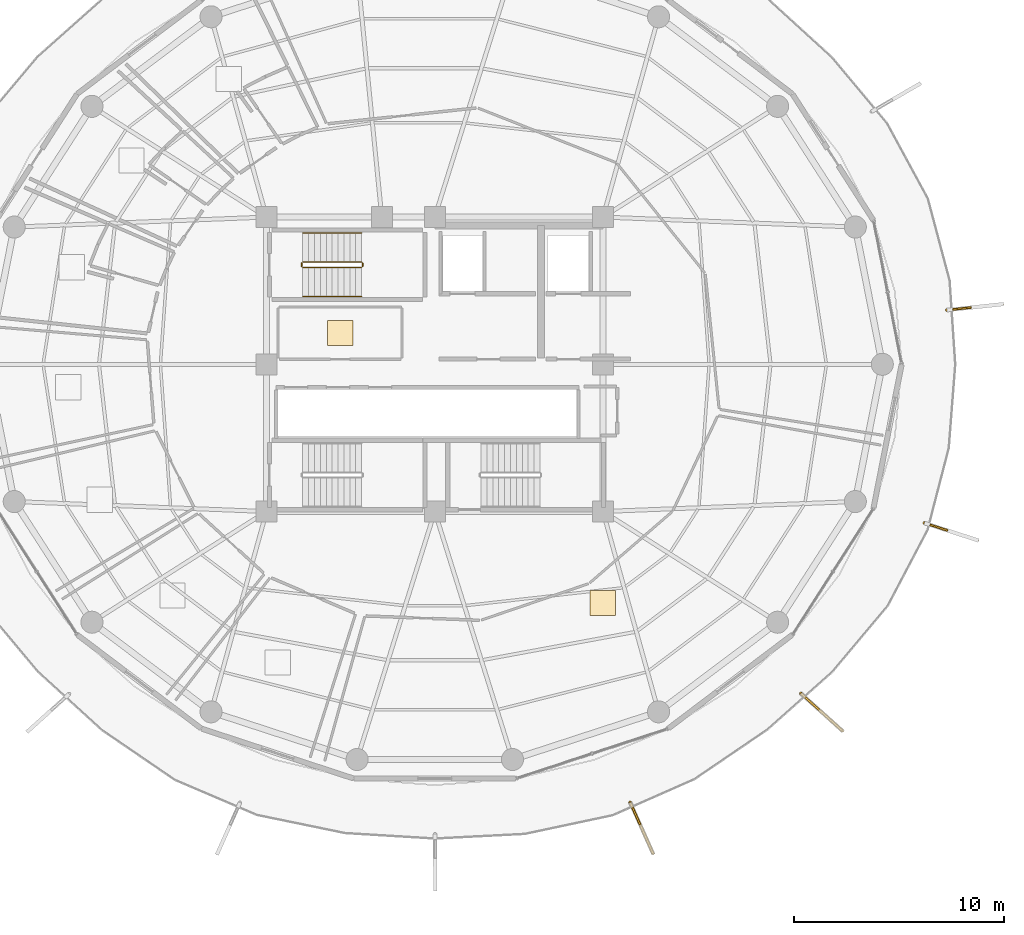
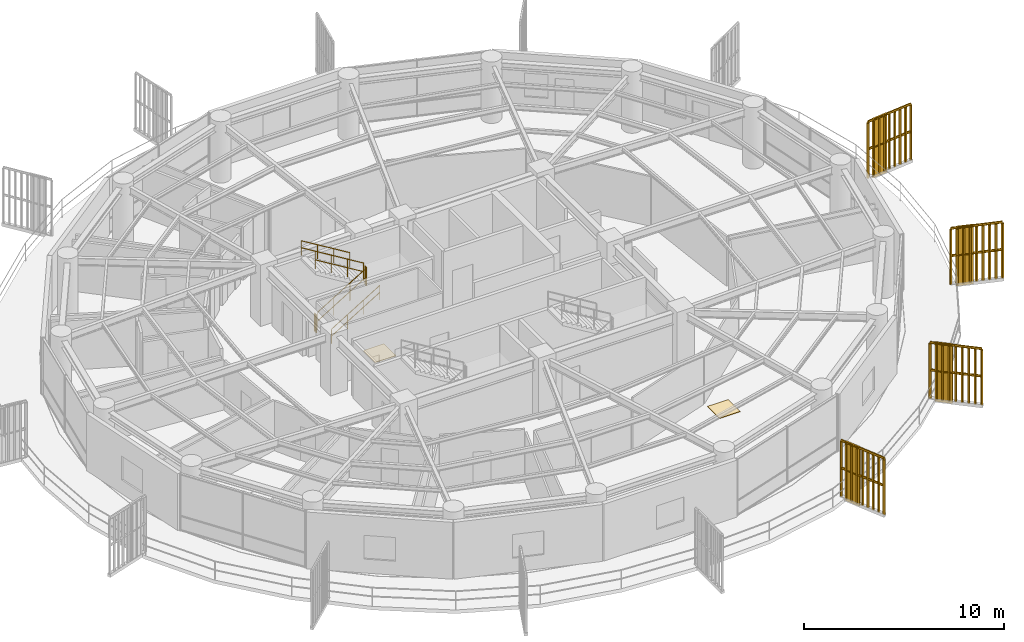
# One storey, part 30 of 31: 10 railings, 4 shading devices, 2 coverings.
"""IFC4 building model written with IfcOpenShell, lengths in metres."""

from ifc_helpers import new_model, si_unit, direction, frame, origin, origin_2d, place, context, subcontext, project, spatial, polyline, rectangle, outline, extrude, source, transform, mapped, material, layer, layer_set, type_object, element, save


model = new_model("IFC4")

# Units and contexts
model_context = context("Model", 3, precision=1e-05, world=origin(), true_north=direction((0.0, 1.0)))
body_context = subcontext(model_context, "Body", "Model", "MODEL_VIEW")
ifc_project = project(units=[si_unit("LENGTHUNIT", "METRE"), si_unit("AREAUNIT", "SQUARE_METRE"), si_unit("VOLUMEUNIT", "CUBIC_METRE"), si_unit("PLANEANGLEUNIT", "RADIAN"), si_unit("MASSUNIT", "GRAM", prefix="KILO")], contexts=[model_context])

# Site, building, storey
site_placement = place(None, origin())
site = spatial("IfcSite", under=ifc_project, at=site_placement, CompositionType="ELEMENT")
building_placement = place(site_placement, origin())
building = spatial("IfcBuilding", under=site, at=building_placement, Name="Kelanora Arch Commons", CompositionType="ELEMENT")
storey_placement = place(building_placement, frame((0.0, 0.0, 223.199951171875)))
storey = spatial("IfcBuildingStorey", under=building, at=storey_placement, Name="L57", CompositionType="ELEMENT", Elevation=223.199951171875)

# Railings
ifc_material_1 = material(Name="Anodised bronze vertical shading fin rib assembly")
railing_type_1 = type_object("IfcRailingType", Name="RAIL-FIN-BRZ", PredefinedType="BALUSTRADE", material=ifc_material_1)
railing_1_placement = place(storey_placement, frame((91.40771484375, 42.34912109375, -0.02001953125)))
element("IfcRailing", 1, at=railing_1_placement, inside=storey, type_object=railing_type_1, Name="Sweeping Bronze Vertical Fin Blade L57-00", PredefinedType="BALUSTRADE", context=body_context, shape_type="SweptSolid", body=[
    extrude(outline(polyline([(0.06982421875, 0.0), (0.034912109375, 0.060546875), (-0.034912109375, 0.060546875), (-0.06982421875, 0.0), (-0.034912109375, -0.060546875), (0.034912109375, -0.060546875), (0.06982421875, 0.0)])), frame((0.0, 0.0, 3.419921875), z_axis=(0.743642104548, -0.668577908956, 0.0), x_axis=(0.668577908956, 0.743642104548, 0.0)), (0.0, 0.0, 1.0), 2.650634765625),
    extrude(outline(polyline([(0.06982421875, 0.0), (0.034912109375, 0.060546875), (-0.034912109375, 0.060546875), (-0.06982421875, 0.0), (-0.034912109375, -0.060546875), (0.034912109375, -0.060546875), (0.06982421875, 0.0)])), frame((0.0, 0.0, 1.7451171875), z_axis=(0.743642104548, -0.668577908956, 0.0), x_axis=(0.668577908956, 0.743642104548, 0.0)), (0.0, 0.0, 1.0), 2.650634765625),
    extrude(outline(polyline([(0.080078125, 0.0), (0.0400390625, 0.0693359375), (-0.0400390625, 0.0693359375), (-0.080078125, 0.0), (-0.0400390625, -0.0693359375), (0.0400390625, -0.0693359375), (0.080078125, 0.0)])), origin(), (0.0, 0.0, 1.0), 3.35009765625),
    extrude(outline(polyline([(0.080078125, 0.0), (0.0400390625, 0.0693359375), (-0.0400390625, 0.0693359375), (-0.080078125, 0.0), (-0.0400390625, -0.0693359375), (0.0400390625, -0.0693359375), (0.080078125, 0.0)])), frame((0.246337890625, -0.221435546875, 0.0)), (0.0, 0.0, 1.0), 3.35009765625),
    extrude(outline(polyline([(0.080078125, 0.0), (0.0400390625, 0.0693359375), (-0.0400390625, 0.0693359375), (-0.080078125, 0.0), (-0.0400390625, -0.0693359375), (0.0400390625, -0.0693359375), (0.080078125, 0.0)])), frame((0.49267578125, -0.443115234375, 0.0)), (0.0, 0.0, 1.0), 3.35009765625),
    extrude(outline(polyline([(0.080078125, 0.0), (0.0400390625, 0.0693359375), (-0.0400390625, 0.0693359375), (-0.080078125, 0.0), (-0.0400390625, -0.0693359375), (0.0400390625, -0.0693359375), (0.080078125, 0.0)])), frame((0.7392578125, -0.66455078125, 0.0)), (0.0, 0.0, 1.0), 3.35009765625),
    extrude(outline(polyline([(0.080078125, 0.0), (0.0400390625, 0.0693359375), (-0.0400390625, 0.0693359375), (-0.080078125, 0.0), (-0.0400390625, -0.0693359375), (0.0400390625, -0.0693359375), (0.080078125, 0.0)])), frame((0.985595703125, -0.88623046875, 0.0)), (0.0, 0.0, 1.0), 3.35009765625),
    extrude(outline(polyline([(0.080078125, 0.0), (0.0400390625, 0.0693359375), (-0.0400390625, 0.0693359375), (-0.080078125, 0.0), (-0.0400390625, -0.0693359375), (0.0400390625, -0.0693359375), (0.080078125, 0.0)])), frame((1.23193359375, -1.107666015625, 0.0)), (0.0, 0.0, 1.0), 3.35009765625),
    extrude(outline(polyline([(0.080078125, 0.0), (0.0400390625, 0.0693359375), (-0.0400390625, 0.0693359375), (-0.080078125, 0.0), (-0.0400390625, -0.0693359375), (0.0400390625, -0.0693359375), (0.080078125, 0.0)])), frame((1.478515625, -1.3291015625, 0.0)), (0.0, 0.0, 1.0), 3.35009765625),
    extrude(outline(polyline([(0.080078125, 0.0), (0.0400390625, 0.0693359375), (-0.0400390625, 0.0693359375), (-0.080078125, 0.0), (-0.0400390625, -0.0693359375), (0.0400390625, -0.0693359375), (0.080078125, 0.0)])), frame((1.724853515625, -1.55078125, 0.0)), (0.0, 0.0, 1.0), 3.35009765625),
    extrude(outline(polyline([(0.080078125, 0.0), (0.0400390625, 0.0693359375), (-0.0400390625, 0.0693359375), (-0.080078125, 0.0), (-0.0400390625, -0.0693359375), (0.0400390625, -0.0693359375), (0.080078125, 0.0)])), frame((1.97119140625, -1.772216796875, 0.0)), (0.0, 0.0, 1.0), 3.35009765625),
])
railing_2_placement = place(storey_placement, frame((97.2841796875, 50.453369140625, -0.02001953125)))
element("IfcRailing", 2, at=railing_2_placement, inside=storey, type_object=railing_type_1, Name="Sweeping Bronze Vertical Fin Blade L57-01", PredefinedType="BALUSTRADE", context=body_context, shape_type="SweptSolid", body=[
    extrude(outline(polyline([(0.06982421875, 0.0), (0.034912109375, 0.060546875), (-0.034912109375, 0.060546875), (-0.06982421875, 0.0), (-0.034912109375, -0.060546875), (0.034912109375, -0.060546875), (0.06982421875, 0.0)])), frame((0.0, 0.0, 3.419921875), z_axis=(0.951275397504, -0.308342533725, 0.0), x_axis=(0.308342533725, 0.951275397504, 0.0)), (0.0, 0.0, 1.0), 2.65087890625),
    extrude(outline(polyline([(0.06982421875, 0.0), (0.034912109375, 0.060546875), (-0.034912109375, 0.060546875), (-0.06982421875, 0.0), (-0.034912109375, -0.060546875), (0.034912109375, -0.060546875), (0.06982421875, 0.0)])), frame((0.0, 0.0, 1.7451171875), z_axis=(0.951275397504, -0.308342533725, 0.0), x_axis=(0.308342533725, 0.951275397504, 0.0)), (0.0, 0.0, 1.0), 2.65087890625),
    extrude(outline(polyline([(0.080078125, 0.0), (0.0400390625, 0.0693359375), (-0.0400390625, 0.0693359375), (-0.080078125, 0.0), (-0.0400390625, -0.0693359375), (0.0400390625, -0.0693359375), (0.080078125, 0.0)])), origin(), (0.0, 0.0, 1.0), 3.35009765625),
    extrude(outline(polyline([(0.080078125, 0.0), (0.0400390625, 0.0693359375), (-0.0400390625, 0.0693359375), (-0.080078125, 0.0), (-0.0400390625, -0.0693359375), (0.0400390625, -0.0693359375), (0.080078125, 0.0)])), frame((0.315185546875, -0.10205078125, 0.0)), (0.0, 0.0, 1.0), 3.35009765625),
    extrude(outline(polyline([(0.080078125, 0.0), (0.0400390625, 0.0693359375), (-0.0400390625, 0.0693359375), (-0.080078125, 0.0), (-0.0400390625, -0.0693359375), (0.0400390625, -0.0693359375), (0.080078125, 0.0)])), frame((0.63037109375, -0.204345703125, 0.0)), (0.0, 0.0, 1.0), 3.35009765625),
    extrude(outline(polyline([(0.080078125, 0.0), (0.0400390625, 0.0693359375), (-0.0400390625, 0.0693359375), (-0.080078125, 0.0), (-0.0400390625, -0.0693359375), (0.0400390625, -0.0693359375), (0.080078125, 0.0)])), frame((0.945556640625, -0.306640625, 0.0)), (0.0, 0.0, 1.0), 3.35009765625),
    extrude(outline(polyline([(0.080078125, 0.0), (0.0400390625, 0.0693359375), (-0.0400390625, 0.0693359375), (-0.080078125, 0.0), (-0.0400390625, -0.0693359375), (0.0400390625, -0.0693359375), (0.080078125, 0.0)])), frame((1.2607421875, -0.40869140625, 0.0)), (0.0, 0.0, 1.0), 3.35009765625),
    extrude(outline(polyline([(0.080078125, 0.0), (0.0400390625, 0.0693359375), (-0.0400390625, 0.0693359375), (-0.080078125, 0.0), (-0.0400390625, -0.0693359375), (0.0400390625, -0.0693359375), (0.080078125, 0.0)])), frame((1.576171875, -0.5107421875, 0.0)), (0.0, 0.0, 1.0), 3.35009765625),
    extrude(outline(polyline([(0.080078125, 0.0), (0.0400390625, 0.0693359375), (-0.0400390625, 0.0693359375), (-0.080078125, 0.0), (-0.0400390625, -0.0693359375), (0.0400390625, -0.0693359375), (0.080078125, 0.0)])), frame((1.891357421875, -0.613037109375, 0.0)), (0.0, 0.0, 1.0), 3.35009765625),
    extrude(outline(polyline([(0.080078125, 0.0), (0.0400390625, 0.0693359375), (-0.0400390625, 0.0693359375), (-0.080078125, 0.0), (-0.0400390625, -0.0693359375), (0.0400390625, -0.0693359375), (0.080078125, 0.0)])), frame((2.20654296875, -0.71533203125, 0.0)), (0.0, 0.0, 1.0), 3.35009765625),
    extrude(outline(polyline([(0.080078125, 0.0), (0.0400390625, 0.0693359375), (-0.0400390625, 0.0693359375), (-0.080078125, 0.0), (-0.0400390625, -0.0693359375), (0.0400390625, -0.0693359375), (0.080078125, 0.0)])), frame((2.521728515625, -0.8173828125, 0.0)), (0.0, 0.0, 1.0), 3.35009765625),
])
railing_3_placement = place(storey_placement, frame((98.349609375, 60.577392578125, -0.02001953125)))
element("IfcRailing", 3, at=railing_3_placement, inside=storey, type_object=railing_type_1, Name="Sweeping Bronze Vertical Fin Blade L57-02", PredefinedType="BALUSTRADE", context=body_context, shape_type="SweptSolid", body=[
    extrude(outline(polyline([(0.06982421875, 0.0), (0.034912109375, 0.060546875), (-0.034912109375, 0.060546875), (-0.06982421875, 0.0), (-0.034912109375, -0.060546875), (0.034912109375, -0.060546875), (0.06982421875, 0.0)])), frame((0.0, 0.0, 3.419921875), z_axis=(0.994453859806, 0.105173764391, 0.0), x_axis=(-0.105173764391, 0.994453859806, 0.0)), (0.0, 0.0, 1.0), 2.65087890625),
    extrude(outline(polyline([(0.06982421875, 0.0), (0.034912109375, 0.060546875), (-0.034912109375, 0.060546875), (-0.06982421875, 0.0), (-0.034912109375, -0.060546875), (0.034912109375, -0.060546875), (0.06982421875, 0.0)])), frame((0.0, 0.0, 1.7451171875), z_axis=(0.994453859806, 0.105173764391, 0.0), x_axis=(-0.105173764391, 0.994453859806, 0.0)), (0.0, 0.0, 1.0), 2.65087890625),
    extrude(outline(polyline([(0.080078125, 0.0), (0.0400390625, 0.0693359375), (-0.0400390625, 0.0693359375), (-0.080078125, 0.0), (-0.0400390625, -0.0693359375), (0.0400390625, -0.0693359375), (0.080078125, 0.0)])), origin(), (0.0, 0.0, 1.0), 3.35009765625),
    extrude(outline(polyline([(0.080078125, 0.0), (0.0400390625, 0.0693359375), (-0.0400390625, 0.0693359375), (-0.080078125, 0.0), (-0.0400390625, -0.0693359375), (0.0400390625, -0.0693359375), (0.080078125, 0.0)])), frame((0.32958984375, 0.034912109375, 0.0)), (0.0, 0.0, 1.0), 3.35009765625),
    extrude(outline(polyline([(0.080078125, 0.0), (0.0400390625, 0.0693359375), (-0.0400390625, 0.0693359375), (-0.080078125, 0.0), (-0.0400390625, -0.0693359375), (0.0400390625, -0.0693359375), (0.080078125, 0.0)])), frame((0.6591796875, 0.06982421875, 0.0)), (0.0, 0.0, 1.0), 3.35009765625),
    extrude(outline(polyline([(0.080078125, 0.0), (0.0400390625, 0.0693359375), (-0.0400390625, 0.0693359375), (-0.080078125, 0.0), (-0.0400390625, -0.0693359375), (0.0400390625, -0.0693359375), (0.080078125, 0.0)])), frame((0.988525390625, 0.1044921875, 0.0)), (0.0, 0.0, 1.0), 3.35009765625),
    extrude(outline(polyline([(0.080078125, 0.0), (0.0400390625, 0.0693359375), (-0.0400390625, 0.0693359375), (-0.080078125, 0.0), (-0.0400390625, -0.0693359375), (0.0400390625, -0.0693359375), (0.080078125, 0.0)])), frame((1.318115234375, 0.139404296875, 0.0)), (0.0, 0.0, 1.0), 3.35009765625),
    extrude(outline(polyline([(0.080078125, 0.0), (0.0400390625, 0.0693359375), (-0.0400390625, 0.0693359375), (-0.080078125, 0.0), (-0.0400390625, -0.0693359375), (0.0400390625, -0.0693359375), (0.080078125, 0.0)])), frame((1.647705078125, 0.17431640625, 0.0)), (0.0, 0.0, 1.0), 3.35009765625),
    extrude(outline(polyline([(0.080078125, 0.0), (0.0400390625, 0.0693359375), (-0.0400390625, 0.0693359375), (-0.080078125, 0.0), (-0.0400390625, -0.0693359375), (0.0400390625, -0.0693359375), (0.080078125, 0.0)])), frame((1.97705078125, 0.208984375, 0.0)), (0.0, 0.0, 1.0), 3.35009765625),
    extrude(outline(polyline([(0.080078125, 0.0), (0.0400390625, 0.0693359375), (-0.0400390625, 0.0693359375), (-0.080078125, 0.0), (-0.0400390625, -0.0693359375), (0.0400390625, -0.0693359375), (0.080078125, 0.0)])), frame((2.306640625, 0.243896484375, 0.0)), (0.0, 0.0, 1.0), 3.35009765625),
    extrude(outline(polyline([(0.080078125, 0.0), (0.0400390625, 0.0693359375), (-0.0400390625, 0.0693359375), (-0.080078125, 0.0), (-0.0400390625, -0.0693359375), (0.0400390625, -0.0693359375), (0.080078125, 0.0)])), frame((2.63623046875, 0.27880859375, 0.0)), (0.0, 0.0, 1.0), 3.35009765625),
])
railing_4_placement = place(storey_placement, frame((83.29150390625, 37.17236328125, -0.02001953125)))
element("IfcRailing", 4, at=railing_4_placement, inside=storey, type_object=railing_type_1, Name="Sweeping Bronze Vertical Fin Blade L57-14", PredefinedType="BALUSTRADE", context=body_context, shape_type="SweptSolid", body=[
    extrude(outline(polyline([(0.06982421875, 0.0), (0.034912109375, 0.060546875), (-0.034912109375, 0.060546875), (-0.06982421875, 0.0), (-0.034912109375, -0.060546875), (0.034912109375, -0.060546875), (0.06982421875, 0.0)])), frame((0.0, 0.0, 3.419921875), z_axis=(0.407360094901, -0.91326762402, 0.0), x_axis=(0.91326762402, 0.407360094901, 0.0)), (0.0, 0.0, 1.0), 2.65087890625),
    extrude(outline(polyline([(0.06982421875, 0.0), (0.034912109375, 0.060546875), (-0.034912109375, 0.060546875), (-0.06982421875, 0.0), (-0.034912109375, -0.060546875), (0.034912109375, -0.060546875), (0.06982421875, 0.0)])), frame((0.0, 0.0, 1.7451171875), z_axis=(0.407360094901, -0.91326762402, 0.0), x_axis=(0.91326762402, 0.407360094901, 0.0)), (0.0, 0.0, 1.0), 2.65087890625),
    extrude(outline(polyline([(0.080078125, 0.0), (0.0400390625, 0.0693359375), (-0.0400390625, 0.0693359375), (-0.080078125, 0.0), (-0.0400390625, -0.0693359375), (0.0400390625, -0.0693359375), (0.080078125, 0.0)])), origin(), (0.0, 0.0, 1.0), 3.35009765625),
    extrude(outline(polyline([(0.080078125, 0.0), (0.0400390625, 0.0693359375), (-0.0400390625, 0.0693359375), (-0.080078125, 0.0), (-0.0400390625, -0.0693359375), (0.0400390625, -0.0693359375), (0.080078125, 0.0)])), frame((0.135009765625, -0.302734375, 0.0)), (0.0, 0.0, 1.0), 3.35009765625),
    extrude(outline(polyline([(0.080078125, 0.0), (0.0400390625, 0.0693359375), (-0.0400390625, 0.0693359375), (-0.080078125, 0.0), (-0.0400390625, -0.0693359375), (0.0400390625, -0.0693359375), (0.080078125, 0.0)])), frame((0.27001953125, -0.605224609375, 0.0)), (0.0, 0.0, 1.0), 3.35009765625),
    extrude(outline(polyline([(0.080078125, 0.0), (0.0400390625, 0.0693359375), (-0.0400390625, 0.0693359375), (-0.080078125, 0.0), (-0.0400390625, -0.0693359375), (0.0400390625, -0.0693359375), (0.080078125, 0.0)])), frame((0.405029296875, -0.90771484375, 0.0)), (0.0, 0.0, 1.0), 3.35009765625),
    extrude(outline(polyline([(0.080078125, 0.0), (0.0400390625, 0.0693359375), (-0.0400390625, 0.0693359375), (-0.080078125, 0.0), (-0.0400390625, -0.0693359375), (0.0400390625, -0.0693359375), (0.080078125, 0.0)])), frame((0.5400390625, -1.21044921875, 0.0)), (0.0, 0.0, 1.0), 3.35009765625),
    extrude(outline(polyline([(0.080078125, 0.0), (0.0400390625, 0.0693359375), (-0.0400390625, 0.0693359375), (-0.080078125, 0.0), (-0.0400390625, -0.0693359375), (0.0400390625, -0.0693359375), (0.080078125, 0.0)])), frame((0.6748046875, -1.51318359375, 0.0)), (0.0, 0.0, 1.0), 3.35009765625),
    extrude(outline(polyline([(0.080078125, 0.0), (0.0400390625, 0.0693359375), (-0.0400390625, 0.0693359375), (-0.080078125, 0.0), (-0.0400390625, -0.0693359375), (0.0400390625, -0.0693359375), (0.080078125, 0.0)])), frame((0.809814453125, -1.815673828125, 0.0)), (0.0, 0.0, 1.0), 3.35009765625),
    extrude(outline(polyline([(0.080078125, 0.0), (0.0400390625, 0.0693359375), (-0.0400390625, 0.0693359375), (-0.080078125, 0.0), (-0.0400390625, -0.0693359375), (0.0400390625, -0.0693359375), (0.080078125, 0.0)])), frame((0.94482421875, -2.1181640625, 0.0)), (0.0, 0.0, 1.0), 3.35009765625),
    extrude(outline(polyline([(0.080078125, 0.0), (0.0400390625, 0.0693359375), (-0.0400390625, 0.0693359375), (-0.080078125, 0.0), (-0.0400390625, -0.0693359375), (0.0400390625, -0.0693359375), (0.080078125, 0.0)])), frame((1.079833984375, -2.4208984375, 0.0)), (0.0, 0.0, 1.0), 3.35009765625),
])
ifc_material_2 = material(Name="Painted steel stair well guard", Category="steel")
railing_type_2 = type_object("IfcRailingType", Name="RAIL-STAIR-GRD", PredefinedType="GUARDRAIL", material=ifc_material_2)
railing_5_placement = place(storey_placement, frame((67.719970703125, 62.610107421875, 0.17041015625)))
element("IfcRailing", 5, at=railing_5_placement, inside=storey, type_object=railing_type_2, Name="L57 ST-T1 stair guard 1", PredefinedType="GUARDRAIL", context=body_context, shape_type="SweptSolid", body=[
    extrude(outline(polyline([(0.02392578125, 0.0), (0.011962890625, 0.020751953125), (-0.011962890625, 0.020751953125), (-0.02392578125, 0.0), (-0.011962890625, -0.020751953125), (0.011962890625, -0.020751953125), (0.02392578125, 0.0)])), frame((0.0, 0.0, 1.076171875), z_axis=(0.854169791009, 0.0, 0.51999420009), x_axis=(0.0, 1.0, 0.0)), (0.0, 0.0, 1.0), 3.278076171875),
    extrude(outline(polyline([(0.02392578125, 0.0), (0.011962890625, 0.020751953125), (-0.011962890625, 0.020751953125), (-0.02392578125, 0.0), (-0.011962890625, -0.020751953125), (0.011962890625, -0.020751953125), (0.02392578125, 0.0)])), frame((0.0, 0.0, 0.550048828125), z_axis=(0.854169791009, 0.0, 0.51999420009), x_axis=(0.0, 1.0, 0.0)), (0.0, 0.0, 1.0), 3.278076171875),
    extrude(outline(polyline([(0.02099609375, 0.0), (0.010498046875, 0.01806640625), (-0.010498046875, 0.01806640625), (-0.02099609375, 0.0), (-0.010498046875, -0.01806640625), (0.010498046875, -0.01806640625), (0.02099609375, 0.0)])), origin(), (0.0, 0.0, 1.0), 1.052001953125),
    extrude(outline(polyline([(0.02099609375, 0.0), (0.010498046875, 0.01806640625), (-0.010498046875, 0.01806640625), (-0.02099609375, 0.0), (-0.010498046875, -0.01806640625), (0.010498046875, -0.01806640625), (0.02099609375, 0.0)])), frame((0.933349609375, 0.0, 0.568115234375)), (0.0, 0.0, 1.0), 1.052001953125),
    extrude(outline(polyline([(0.02099609375, 0.0), (0.010498046875, 0.01806640625), (-0.010498046875, 0.01806640625), (-0.02099609375, 0.0), (-0.010498046875, -0.01806640625), (0.010498046875, -0.01806640625), (0.02099609375, 0.0)])), frame((1.86669921875, 0.0, 1.136474609375)), (0.0, 0.0, 1.0), 1.052001953125),
    extrude(outline(polyline([(0.02099609375, 0.0), (0.010498046875, 0.01806640625), (-0.010498046875, 0.01806640625), (-0.02099609375, 0.0), (-0.010498046875, -0.01806640625), (0.010498046875, -0.01806640625), (0.02099609375, 0.0)])), frame((2.800048828125, 0.0, 1.70458984375)), (0.0, 0.0, 1.0), 1.052001953125),
])
railing_6_placement = place(storey_placement, frame((70.570068359375, 62.659912109375, 1.875)))
element("IfcRailing", 6, at=railing_6_placement, inside=storey, type_object=railing_type_2, Name="L57 ST-T1 stair guard 2", PredefinedType="GUARDRAIL", context=body_context, shape_type="SweptSolid", body=[
    extrude(outline(polyline([(0.02392578125, 0.0), (0.011962890625, 0.020751953125), (-0.011962890625, 0.020751953125), (-0.02392578125, 0.0), (-0.011962890625, -0.020751953125), (0.011962890625, -0.020751953125), (0.02392578125, 0.0)])), frame((0.0, 0.0, 1.076171875), z_axis=(0.0, 1.0, 0.0), x_axis=(-1.0, 0.0, 0.0)), (0.0, 0.0, 1.0), 0.150146484375),
    extrude(outline(polyline([(0.02392578125, 0.0), (0.011962890625, 0.020751953125), (-0.011962890625, 0.020751953125), (-0.02392578125, 0.0), (-0.011962890625, -0.020751953125), (0.011962890625, -0.020751953125), (0.02392578125, 0.0)])), frame((0.0, 0.0, 0.550048828125), z_axis=(0.0, 1.0, 0.0), x_axis=(-1.0, 0.0, 0.0)), (0.0, 0.0, 1.0), 0.150146484375),
    extrude(outline(polyline([(0.02099609375, 0.0), (0.010498046875, 0.01806640625), (-0.010498046875, 0.01806640625), (-0.02099609375, 0.0), (-0.010498046875, -0.01806640625), (0.010498046875, -0.01806640625), (0.02099609375, 0.0)])), origin(), (0.0, 0.0, 1.0), 1.052001953125),
    extrude(outline(polyline([(0.02099609375, 0.0), (0.010498046875, 0.01806640625), (-0.010498046875, 0.01806640625), (-0.02099609375, 0.0), (-0.010498046875, -0.01806640625), (0.010498046875, -0.01806640625), (0.02099609375, 0.0)])), frame((0.0, 0.150146484375, 0.0)), (0.0, 0.0, 1.0), 1.052001953125),
])
railing_7_placement = place(storey_placement, frame((70.52001953125, 62.860107421875, 2.04541015625)))
element("IfcRailing", 7, at=railing_7_placement, inside=storey, type_object=railing_type_2, Name="L57 ST-T1 stair guard 3", PredefinedType="GUARDRAIL", context=body_context, shape_type="SweptSolid", body=[
    extrude(outline(polyline([(0.02392578125, 0.0), (0.011962890625, 0.020751953125), (-0.011962890625, 0.020751953125), (-0.02392578125, 0.0), (-0.011962890625, -0.020751953125), (0.011962890625, -0.020751953125), (0.02392578125, 0.0)])), frame((0.0, 0.0, 1.076171875), z_axis=(-0.854169791009, 0.0, 0.51999420009), x_axis=(0.0, -1.0, 0.0)), (0.0, 0.0, 1.0), 3.278076171875),
    extrude(outline(polyline([(0.02392578125, 0.0), (0.011962890625, 0.020751953125), (-0.011962890625, 0.020751953125), (-0.02392578125, 0.0), (-0.011962890625, -0.020751953125), (0.011962890625, -0.020751953125), (0.02392578125, 0.0)])), frame((0.0, 0.0, 0.550048828125), z_axis=(-0.854169791009, 0.0, 0.51999420009), x_axis=(0.0, -1.0, 0.0)), (0.0, 0.0, 1.0), 3.278076171875),
    extrude(outline(polyline([(0.02099609375, 0.0), (0.010498046875, 0.01806640625), (-0.010498046875, 0.01806640625), (-0.02099609375, 0.0), (-0.010498046875, -0.01806640625), (0.010498046875, -0.01806640625), (0.02099609375, 0.0)])), origin(), (0.0, 0.0, 1.0), 1.052001953125),
    extrude(outline(polyline([(0.02099609375, 0.0), (0.010498046875, 0.01806640625), (-0.010498046875, 0.01806640625), (-0.02099609375, 0.0), (-0.010498046875, -0.01806640625), (0.010498046875, -0.01806640625), (0.02099609375, 0.0)])), frame((-0.933349609375, 0.0, 0.568115234375)), (0.0, 0.0, 1.0), 1.052001953125),
    extrude(outline(polyline([(0.02099609375, 0.0), (0.010498046875, 0.01806640625), (-0.010498046875, 0.01806640625), (-0.02099609375, 0.0), (-0.010498046875, -0.01806640625), (0.010498046875, -0.01806640625), (0.02099609375, 0.0)])), frame((-1.86669921875, 0.0, 1.136474609375)), (0.0, 0.0, 1.0), 1.052001953125),
    extrude(outline(polyline([(0.02099609375, 0.0), (0.010498046875, 0.01806640625), (-0.010498046875, 0.01806640625), (-0.02099609375, 0.0), (-0.010498046875, -0.01806640625), (0.010498046875, -0.01806640625), (0.02099609375, 0.0)])), frame((-2.800048828125, 0.0, 1.70458984375)), (0.0, 0.0, 1.0), 1.052001953125),
])
railing_8_placement = place(storey_placement, frame((67.669921875, 62.659912109375, 0.0)))
element("IfcRailing", 8, at=railing_8_placement, inside=storey, type_object=railing_type_2, Name="L57 ST-T1 stair guard 4", PredefinedType="GUARDRAIL", context=body_context, shape_type="SweptSolid", body=[
    extrude(outline(polyline([(0.02392578125, 0.0), (0.011962890625, 0.020751953125), (-0.011962890625, 0.020751953125), (-0.02392578125, 0.0), (-0.011962890625, -0.020751953125), (0.011962890625, -0.020751953125), (0.02392578125, 0.0)])), frame((0.0, 0.0, 1.076171875), z_axis=(0.0, 1.0, 0.0), x_axis=(-1.0, 0.0, 0.0)), (0.0, 0.0, 1.0), 0.150146484375),
    extrude(outline(polyline([(0.02392578125, 0.0), (0.011962890625, 0.020751953125), (-0.011962890625, 0.020751953125), (-0.02392578125, 0.0), (-0.011962890625, -0.020751953125), (0.011962890625, -0.020751953125), (0.02392578125, 0.0)])), frame((0.0, 0.0, 0.550048828125), z_axis=(0.0, 1.0, 0.0), x_axis=(-1.0, 0.0, 0.0)), (0.0, 0.0, 1.0), 0.150146484375),
    extrude(outline(polyline([(0.02099609375, 0.0), (0.010498046875, 0.01806640625), (-0.010498046875, 0.01806640625), (-0.02099609375, 0.0), (-0.010498046875, -0.01806640625), (0.010498046875, -0.01806640625), (0.02099609375, 0.0)])), origin(), (0.0, 0.0, 1.0), 1.052001953125),
    extrude(outline(polyline([(0.02099609375, 0.0), (0.010498046875, 0.01806640625), (-0.010498046875, 0.01806640625), (-0.02099609375, 0.0), (-0.010498046875, -0.01806640625), (0.010498046875, -0.01806640625), (0.02099609375, 0.0)])), frame((0.0, 0.150146484375, 0.0)), (0.0, 0.0, 1.0), 1.052001953125),
])
ifc_material_3 = material(Name="Brushed stainless steel stair handrail", Category="steel")
railing_type_3 = type_object("IfcRailingType", Name="RAIL-STAIR-HND", PredefinedType="HANDRAIL", material=ifc_material_3)
railing_9_placement = place(storey_placement, frame((67.719970703125, 61.22998046875, 0.17041015625)))
element("IfcRailing", 9, at=railing_9_placement, inside=storey, type_object=railing_type_3, Name="L57 ST-T1 stair handrail 1", PredefinedType="HANDRAIL", context=body_context, shape_type="SweptSolid", body=[
    extrude(outline(polyline([(0.02392578125, 0.0), (0.011962890625, 0.020751953125), (-0.011962890625, 0.020751953125), (-0.02392578125, 0.0), (-0.011962890625, -0.020751953125), (0.011962890625, -0.020751953125), (0.02392578125, 0.0)])), frame((0.0, 0.0, 0.8759765625), z_axis=(0.854169791009, 0.0, 0.51999420009), x_axis=(0.0, 1.0, 0.0)), (0.0, 0.0, 1.0), 3.278076171875),
    extrude(outline(polyline([(0.02392578125, 0.0), (0.011962890625, 0.020751953125), (-0.011962890625, 0.020751953125), (-0.02392578125, 0.0), (-0.011962890625, -0.020751953125), (0.011962890625, -0.020751953125), (0.02392578125, 0.0)])), frame((0.0, 0.0, 0.449951171875), z_axis=(0.854169791009, 0.0, 0.51999420009), x_axis=(0.0, 1.0, 0.0)), (0.0, 0.0, 1.0), 3.278076171875),
    extrude(outline(polyline([(0.02099609375, 0.0), (0.010498046875, 0.01806640625), (-0.010498046875, 0.01806640625), (-0.02099609375, 0.0), (-0.010498046875, -0.01806640625), (0.010498046875, -0.01806640625), (0.02099609375, 0.0)])), origin(), (0.0, 0.0, 1.0), 0.851806640625),
    extrude(outline(polyline([(0.02099609375, 0.0), (0.010498046875, 0.01806640625), (-0.010498046875, 0.01806640625), (-0.02099609375, 0.0), (-0.010498046875, -0.01806640625), (0.010498046875, -0.01806640625), (0.02099609375, 0.0)])), frame((0.933349609375, 0.0, 0.568115234375)), (0.0, 0.0, 1.0), 0.851806640625),
    extrude(outline(polyline([(0.02099609375, 0.0), (0.010498046875, 0.01806640625), (-0.010498046875, 0.01806640625), (-0.02099609375, 0.0), (-0.010498046875, -0.01806640625), (0.010498046875, -0.01806640625), (0.02099609375, 0.0)])), frame((1.86669921875, 0.0, 1.136474609375)), (0.0, 0.0, 1.0), 0.851806640625),
    extrude(outline(polyline([(0.02099609375, 0.0), (0.010498046875, 0.01806640625), (-0.010498046875, 0.01806640625), (-0.02099609375, 0.0), (-0.010498046875, -0.01806640625), (0.010498046875, -0.01806640625), (0.02099609375, 0.0)])), frame((2.800048828125, 0.0, 1.70458984375)), (0.0, 0.0, 1.0), 0.851806640625),
])
railing_10_placement = place(storey_placement, frame((70.52001953125, 64.239990234375, 2.04541015625)))
element("IfcRailing", 10, at=railing_10_placement, inside=storey, type_object=railing_type_3, Name="L57 ST-T1 stair handrail 2", PredefinedType="HANDRAIL", context=body_context, shape_type="SweptSolid", body=[
    extrude(outline(polyline([(0.02392578125, 0.0), (0.011962890625, 0.020751953125), (-0.011962890625, 0.020751953125), (-0.02392578125, 0.0), (-0.011962890625, -0.020751953125), (0.011962890625, -0.020751953125), (0.02392578125, 0.0)])), frame((0.0, 0.0, 0.8759765625), z_axis=(-0.854169791009, 0.0, 0.51999420009), x_axis=(0.0, -1.0, 0.0)), (0.0, 0.0, 1.0), 3.278076171875),
    extrude(outline(polyline([(0.02392578125, 0.0), (0.011962890625, 0.020751953125), (-0.011962890625, 0.020751953125), (-0.02392578125, 0.0), (-0.011962890625, -0.020751953125), (0.011962890625, -0.020751953125), (0.02392578125, 0.0)])), frame((0.0, 0.0, 0.449951171875), z_axis=(-0.854169791009, 0.0, 0.51999420009), x_axis=(0.0, -1.0, 0.0)), (0.0, 0.0, 1.0), 3.278076171875),
    extrude(outline(polyline([(0.02099609375, 0.0), (0.010498046875, 0.01806640625), (-0.010498046875, 0.01806640625), (-0.02099609375, 0.0), (-0.010498046875, -0.01806640625), (0.010498046875, -0.01806640625), (0.02099609375, 0.0)])), origin(), (0.0, 0.0, 1.0), 0.851806640625),
    extrude(outline(polyline([(0.02099609375, 0.0), (0.010498046875, 0.01806640625), (-0.010498046875, 0.01806640625), (-0.02099609375, 0.0), (-0.010498046875, -0.01806640625), (0.010498046875, -0.01806640625), (0.02099609375, 0.0)])), frame((-0.933349609375, 0.0, 0.568115234375)), (0.0, 0.0, 1.0), 0.851806640625),
    extrude(outline(polyline([(0.02099609375, 0.0), (0.010498046875, 0.01806640625), (-0.010498046875, 0.01806640625), (-0.02099609375, 0.0), (-0.010498046875, -0.01806640625), (0.010498046875, -0.01806640625), (0.02099609375, 0.0)])), frame((-1.86669921875, 0.0, 1.136474609375)), (0.0, 0.0, 1.0), 0.851806640625),
    extrude(outline(polyline([(0.02099609375, 0.0), (0.010498046875, 0.01806640625), (-0.010498046875, 0.01806640625), (-0.02099609375, 0.0), (-0.010498046875, -0.01806640625), (0.010498046875, -0.01806640625), (0.02099609375, 0.0)])), frame((-2.800048828125, 0.0, 1.70458984375)), (0.0, 0.0, 1.0), 0.851806640625),
])

# Shading devices
ifc_material_4 = material(Name="Terracotta ceramic-clad extruded aluminium fin", Category="masonry")
shading_device_type = type_object("IfcShadingDeviceType", Name="SHD-FIN-FLARE", PredefinedType="USERDEFINED", material=ifc_material_4)
shared_shape_1 = source(origin(), body_context, "Body", "SweptSolid", [
    extrude(rectangle(XDim=0.8798828125, YDim=0.090087890625, at=origin_2d()), origin(), (0.0, 0.0, 1.0), 3.610107421875),
])
for number, where, z_axis, x_axis, name in (
    (11, (91.943115234375, 41.867919921875, -0.14013671875), (0.0, 0.0, 1.0), (0.743611785628, -0.668611630377, 0.0), "Sweeping Terracotta Fin L57-00"),
    (12, (97.96923828125, 50.2314453125, -0.14013671875), (0.0, 0.0, 1.0), (0.951272019071, -0.30835295642, 0.0), "Sweeping Terracotta Fin L57-01"),
    (13, (99.065673828125, 60.653076171875, -0.14013671875), (0.0, 0.0, 1.0), (0.994448678381, 0.105222745001, 0.0), "Sweeping Terracotta Fin L57-02"),
    (14, (83.584716796875, 36.514892578125, -0.14013671875), (0.0, 0.0, 1.0), (0.407374318949, -0.913261279296, 0.0), "Sweeping Terracotta Fin L57-14"),
):
    element("IfcShadingDevice", number, at=place(storey_placement, frame(where, z_axis=z_axis, x_axis=x_axis)), inside=storey, type_object=shading_device_type, Name=name, ObjectType="FIN", PredefinedType="USERDEFINED", context=body_context, shape_type="MappedRepresentation", body=[
        mapped(shared_shape_1, transform((0.0, 0.0, 0.0), scale=1.0)),
    ])

# Coverings
ifc_material_5 = material(Name="Polished local granite terrazzo flooring", Category="masonry")
ifc_layer = layer(ifc_material_5, 0.030029296875)
ifc_layer_set = layer_set([ifc_layer], Name="Polished local granite terrazzo flooring")
covering_type = type_object("IfcCoveringType", Name="COV-FLR-TER", PredefinedType="FLOORING", material=ifc_layer_set)
shared_shape_2 = source(origin(), body_context, "Body", "SweptSolid", [
    extrude(rectangle(XDim=1.199951171875, YDim=1.199951171875, at=origin_2d()), origin(), (0.0, 0.0, 1.0), 0.030029296875),
])
for number, where, z_axis, x_axis, name in (
    (15, (69.5, 59.485107421875, 0.0), (0.0, 0.0, 1.0), (1.0, 0.0, 0.0), "Reclaimed Core Study Pod Lounge L57 Terrazzo Finish"),
    (16, (81.986083984375, 46.6513671875, 0.0), (0.0, 0.0, 1.0), (1.0, 0.0, 0.0), "South-East Social Sky Lounge L57 Terrazzo Finish"),
):
    element("IfcCovering", number, at=place(storey_placement, frame(where, z_axis=z_axis, x_axis=x_axis)), inside=storey, type_object=covering_type, Name=name, PredefinedType="FLOORING", context=body_context, shape_type="MappedRepresentation", body=[
        mapped(shared_shape_2, transform((0.0, 0.0, 0.0), scale=1.0)),
    ])

save(model, "model.ifc")
